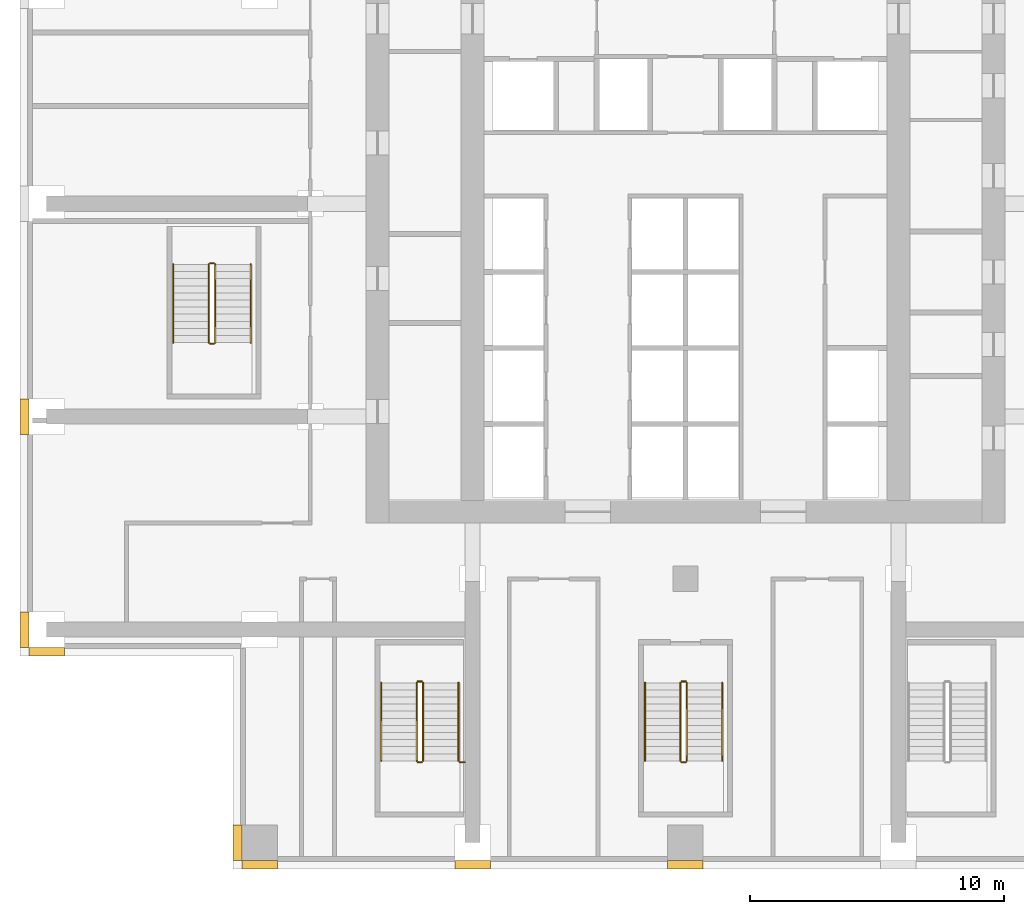
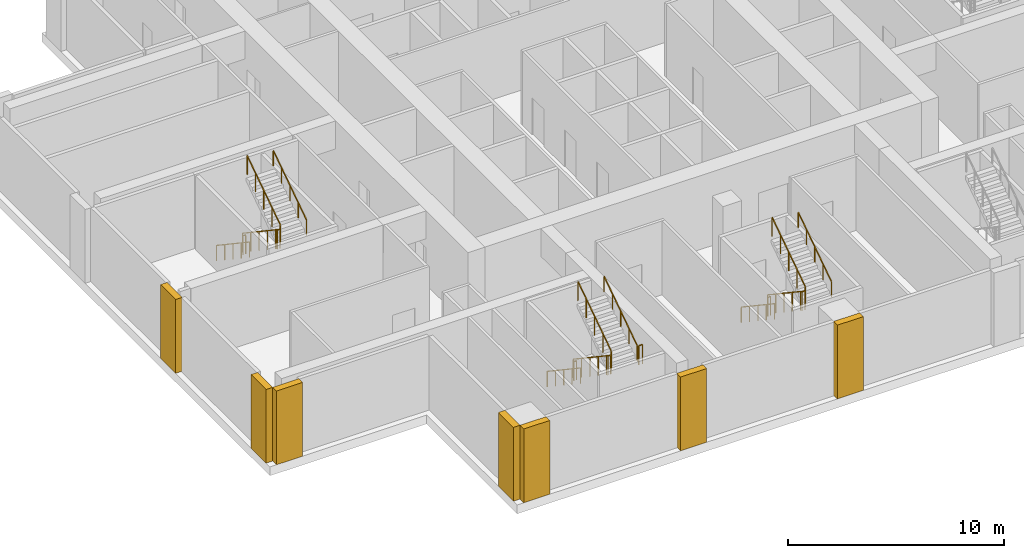
# One storey, part 7 of 11: 16 railings, 7 coverings.
"""IFC4 building model written with IfcOpenShell, lengths in metres."""

from ifc_helpers import new_model, si_unit, direction, frame, origin, origin_2d, place, context, subcontext, project, spatial, polyline, rectangle, outline, extrude, material, type_object, element, save


model = new_model("IFC4")

# Units and contexts
model_context = context("Model", 3, precision=1e-05, world=origin(), true_north=direction((0.0, 1.0)))
body_context = subcontext(model_context, "Body", "Model", "MODEL_VIEW")
ifc_project = project(units=[si_unit("LENGTHUNIT", "METRE"), si_unit("AREAUNIT", "SQUARE_METRE"), si_unit("VOLUMEUNIT", "CUBIC_METRE"), si_unit("PLANEANGLEUNIT", "RADIAN"), si_unit("MASSUNIT", "GRAM", prefix="KILO")], contexts=[model_context])

# Site, building, storey
site_placement = place(None, origin())
site = spatial("IfcSite", under=ifc_project, at=site_placement, CompositionType="ELEMENT")
building_placement = place(site_placement, origin())
building = spatial("IfcBuilding", under=site, at=building_placement, Name="Vermilion Ogive Tower", CompositionType="ELEMENT")
storey_placement = place(building_placement, frame((0.0, 0.0, 75.89990234375)))
storey = spatial("IfcBuildingStorey", under=building, at=storey_placement, Name="L18", CompositionType="ELEMENT", Elevation=75.89990234375)

# Railings
ifc_material_1 = material(Name="Steel S355 painted", Category="steel")
railing_type_1 = type_object("IfcRailingType", Name="Stair guard 1100", PredefinedType="GUARDRAIL", material=ifc_material_1)
railing_1_placement = place(storey_placement, frame((-10.60009765625, -14.699951171875, 0.1875)))
element("IfcRailing", 1, at=railing_1_placement, inside=storey, type_object=railing_type_1, Name="L18 ST3 stair guard 1", PredefinedType="GUARDRAIL", context=body_context, shape_type="SweptSolid", body=[
    extrude(rectangle(XDim=0.048095703125, YDim=0.048095703125, at=origin_2d()), frame((0.0, 0.0, 1.076171875), z_axis=(0.0, -0.830913701846, 0.55640131208), x_axis=(1.0, 0.0, 0.0)), (0.0, 0.0, 1.0), 3.706787109375),
    extrude(rectangle(XDim=0.048095703125, YDim=0.048095703125, at=origin_2d()), frame((0.0, -3.080078125, 3.138671875), z_axis=(0.707106781187, -0.707106781187, 0.0), x_axis=(0.707106781187, 0.707106781187, 0.0)), (0.0, 0.0, 1.0), 0.07080078125),
    extrude(rectangle(XDim=0.048095703125, YDim=0.048095703125, at=origin_2d()), frame((0.050048828125, -3.130126953125, 3.138671875), z_axis=(1.0, 0.0, 0.0), x_axis=(0.0, 1.0, 0.0)), (0.0, 0.0, 1.0), 0.150146484375),
    extrude(rectangle(XDim=0.0419921875, YDim=0.0419921875, at=origin_2d()), origin(), (0.0, 0.0, 1.0), 1.052001953125),
    extrude(rectangle(XDim=0.0419921875, YDim=0.0419921875, at=origin_2d()), frame((0.0, -0.77001953125, 0.515625)), (0.0, 0.0, 1.0), 1.052001953125),
    extrude(rectangle(XDim=0.0419921875, YDim=0.0419921875, at=origin_2d()), frame((0.0, -1.5400390625, 1.03125)), (0.0, 0.0, 1.0), 1.052001953125),
    extrude(rectangle(XDim=0.0419921875, YDim=0.0419921875, at=origin_2d()), frame((0.0, -2.31005859375, 1.546875)), (0.0, 0.0, 1.0), 1.052001953125),
    extrude(rectangle(XDim=0.0419921875, YDim=0.0419921875, at=origin_2d()), frame((0.0, -3.080078125, 2.0625)), (0.0, 0.0, 1.0), 1.052001953125),
    extrude(rectangle(XDim=0.0419921875, YDim=0.0419921875, at=origin_2d()), frame((0.050048828125, -3.130126953125, 2.0625)), (0.0, 0.0, 1.0), 1.052001953125),
    extrude(rectangle(XDim=0.0419921875, YDim=0.0419921875, at=origin_2d()), frame((0.2001953125, -3.130126953125, 2.0625)), (0.0, 0.0, 1.0), 1.052001953125),
])
railing_2_placement = place(storey_placement, frame((-10.35009765625, -17.780029296875, 2.4375)))
element("IfcRailing", 2, at=railing_2_placement, inside=storey, type_object=railing_type_1, Name="L18 ST3 stair guard 3", PredefinedType="GUARDRAIL", context=body_context, shape_type="SweptSolid", body=[
    extrude(rectangle(XDim=0.048095703125, YDim=0.048095703125, at=origin_2d()), frame((0.0, 0.0, 1.076171875), z_axis=(0.0, 0.830913701846, 0.55640131208), x_axis=(-1.0, 0.0, 0.0)), (0.0, 0.0, 1.0), 3.706787109375),
    extrude(rectangle(XDim=0.0419921875, YDim=0.0419921875, at=origin_2d()), origin(), (0.0, 0.0, 1.0), 1.052001953125),
    extrude(rectangle(XDim=0.0419921875, YDim=0.0419921875, at=origin_2d()), frame((0.0, 0.77001953125, 0.515625)), (0.0, 0.0, 1.0), 1.052001953125),
    extrude(rectangle(XDim=0.0419921875, YDim=0.0419921875, at=origin_2d()), frame((0.0, 1.5400390625, 1.03125)), (0.0, 0.0, 1.0), 1.052001953125),
    extrude(rectangle(XDim=0.0419921875, YDim=0.0419921875, at=origin_2d()), frame((0.0, 2.31005859375, 1.546875)), (0.0, 0.0, 1.0), 1.052001953125),
    extrude(rectangle(XDim=0.0419921875, YDim=0.0419921875, at=origin_2d()), frame((0.0, 3.080078125, 2.0625)), (0.0, 0.0, 1.0), 1.052001953125),
])
railing_3_placement = place(storey_placement, frame((-10.550048828125, -14.64990234375, 0.0)))
element("IfcRailing", 3, at=railing_3_placement, inside=storey, type_object=railing_type_1, Name="L18 ST3 stair guard 4", PredefinedType="GUARDRAIL", context=body_context, shape_type="SweptSolid", body=[
    extrude(rectangle(XDim=0.048095703125, YDim=0.048095703125, at=origin_2d()), frame((0.0, 0.0, 1.076171875), z_axis=(1.0, 0.0, 0.0), x_axis=(0.0, 1.0, 0.0)), (0.0, 0.0, 1.0), 0.150146484375),
    extrude(rectangle(XDim=0.0419921875, YDim=0.0419921875, at=origin_2d()), origin(), (0.0, 0.0, 1.0), 1.052001953125),
    extrude(rectangle(XDim=0.0419921875, YDim=0.0419921875, at=origin_2d()), frame((0.150146484375, 0.0, 0.0)), (0.0, 0.0, 1.0), 1.052001953125),
])
railing_4_placement = place(storey_placement, frame((-0.199951171875, -14.699951171875, 0.1875)))
element("IfcRailing", 4, at=railing_4_placement, inside=storey, type_object=railing_type_1, Name="L18 ST4 stair guard 1", PredefinedType="GUARDRAIL", context=body_context, shape_type="SweptSolid", body=[
    extrude(rectangle(XDim=0.048095703125, YDim=0.048095703125, at=origin_2d()), frame((0.0, 0.0, 1.076171875), z_axis=(0.0, -0.830913701846, 0.55640131208), x_axis=(1.0, 0.0, 0.0)), (0.0, 0.0, 1.0), 3.706787109375),
    extrude(rectangle(XDim=0.048095703125, YDim=0.048095703125, at=origin_2d()), frame((0.0, -3.080078125, 3.138671875), z_axis=(0.707106781187, -0.707106781187, 0.0), x_axis=(0.707106781187, 0.707106781187, 0.0)), (0.0, 0.0, 1.0), 0.07080078125),
    extrude(rectangle(XDim=0.048095703125, YDim=0.048095703125, at=origin_2d()), frame((0.050048828125, -3.130126953125, 3.138671875), z_axis=(1.0, 0.0, 0.0), x_axis=(0.0, 1.0, 0.0)), (0.0, 0.0, 1.0), 0.14990234375),
    extrude(rectangle(XDim=0.0419921875, YDim=0.0419921875, at=origin_2d()), origin(), (0.0, 0.0, 1.0), 1.052001953125),
    extrude(rectangle(XDim=0.0419921875, YDim=0.0419921875, at=origin_2d()), frame((0.0, -0.77001953125, 0.515625)), (0.0, 0.0, 1.0), 1.052001953125),
    extrude(rectangle(XDim=0.0419921875, YDim=0.0419921875, at=origin_2d()), frame((0.0, -1.5400390625, 1.03125)), (0.0, 0.0, 1.0), 1.052001953125),
    extrude(rectangle(XDim=0.0419921875, YDim=0.0419921875, at=origin_2d()), frame((0.0, -2.31005859375, 1.546875)), (0.0, 0.0, 1.0), 1.052001953125),
    extrude(rectangle(XDim=0.0419921875, YDim=0.0419921875, at=origin_2d()), frame((0.0, -3.080078125, 2.0625)), (0.0, 0.0, 1.0), 1.052001953125),
    extrude(rectangle(XDim=0.0419921875, YDim=0.0419921875, at=origin_2d()), frame((0.050048828125, -3.130126953125, 2.0625)), (0.0, 0.0, 1.0), 1.052001953125),
    extrude(rectangle(XDim=0.0419921875, YDim=0.0419921875, at=origin_2d()), frame((0.199951171875, -3.130126953125, 2.0625)), (0.0, 0.0, 1.0), 1.052001953125),
])
railing_5_placement = place(storey_placement, frame((0.050048828125, -17.780029296875, 2.4375)))
element("IfcRailing", 5, at=railing_5_placement, inside=storey, type_object=railing_type_1, Name="L18 ST4 stair guard 3", PredefinedType="GUARDRAIL", context=body_context, shape_type="SweptSolid", body=[
    extrude(rectangle(XDim=0.048095703125, YDim=0.048095703125, at=origin_2d()), frame((0.0, 0.0, 1.076171875), z_axis=(0.0, 0.830913701846, 0.55640131208), x_axis=(-1.0, 0.0, 0.0)), (0.0, 0.0, 1.0), 3.706787109375),
    extrude(rectangle(XDim=0.0419921875, YDim=0.0419921875, at=origin_2d()), origin(), (0.0, 0.0, 1.0), 1.052001953125),
    extrude(rectangle(XDim=0.0419921875, YDim=0.0419921875, at=origin_2d()), frame((0.0, 0.77001953125, 0.515625)), (0.0, 0.0, 1.0), 1.052001953125),
    extrude(rectangle(XDim=0.0419921875, YDim=0.0419921875, at=origin_2d()), frame((0.0, 1.5400390625, 1.03125)), (0.0, 0.0, 1.0), 1.052001953125),
    extrude(rectangle(XDim=0.0419921875, YDim=0.0419921875, at=origin_2d()), frame((0.0, 2.31005859375, 1.546875)), (0.0, 0.0, 1.0), 1.052001953125),
    extrude(rectangle(XDim=0.0419921875, YDim=0.0419921875, at=origin_2d()), frame((0.0, 3.080078125, 2.0625)), (0.0, 0.0, 1.0), 1.052001953125),
])
railing_6_placement = place(storey_placement, frame((-0.14990234375, -14.64990234375, 0.0)))
element("IfcRailing", 6, at=railing_6_placement, inside=storey, type_object=railing_type_1, Name="L18 ST4 stair guard 4", PredefinedType="GUARDRAIL", context=body_context, shape_type="SweptSolid", body=[
    extrude(rectangle(XDim=0.048095703125, YDim=0.048095703125, at=origin_2d()), frame((0.0, 0.0, 1.076171875), z_axis=(1.0, 0.0, 0.0), x_axis=(0.0, 1.0, 0.0)), (0.0, 0.0, 1.0), 0.14990234375),
    extrude(rectangle(XDim=0.0419921875, YDim=0.0419921875, at=origin_2d()), origin(), (0.0, 0.0, 1.0), 1.052001953125),
    extrude(rectangle(XDim=0.0419921875, YDim=0.0419921875, at=origin_2d()), frame((0.14990234375, 0.0, 0.0)), (0.0, 0.0, 1.0), 1.052001953125),
])
railing_7_placement = place(storey_placement, frame((-18.800048828125, 1.800048828125, 0.1875)))
element("IfcRailing", 7, at=railing_7_placement, inside=storey, type_object=railing_type_1, Name="L18 ST9 stair guard 1", PredefinedType="GUARDRAIL", context=body_context, shape_type="SweptSolid", body=[
    extrude(rectangle(XDim=0.048095703125, YDim=0.048095703125, at=origin_2d()), frame((0.0, 0.0, 1.076171875), z_axis=(0.0, -0.830913701846, 0.55640131208), x_axis=(1.0, 0.0, 0.0)), (0.0, 0.0, 1.0), 3.706787109375),
    extrude(rectangle(XDim=0.048095703125, YDim=0.048095703125, at=origin_2d()), frame((0.0, -3.080078125, 3.138671875), z_axis=(0.707106781187, -0.707106781187, 0.0), x_axis=(0.707106781187, 0.707106781187, 0.0)), (0.0, 0.0, 1.0), 0.07080078125),
    extrude(rectangle(XDim=0.048095703125, YDim=0.048095703125, at=origin_2d()), frame((0.050048828125, -3.130126953125, 3.138671875), z_axis=(1.0, 0.0, 0.0), x_axis=(0.0, 1.0, 0.0)), (0.0, 0.0, 1.0), 0.14990234375),
    extrude(rectangle(XDim=0.0419921875, YDim=0.0419921875, at=origin_2d()), origin(), (0.0, 0.0, 1.0), 1.052001953125),
    extrude(rectangle(XDim=0.0419921875, YDim=0.0419921875, at=origin_2d()), frame((0.0, -0.77001953125, 0.515625)), (0.0, 0.0, 1.0), 1.052001953125),
    extrude(rectangle(XDim=0.0419921875, YDim=0.0419921875, at=origin_2d()), frame((0.0, -1.5400390625, 1.03125)), (0.0, 0.0, 1.0), 1.052001953125),
    extrude(rectangle(XDim=0.0419921875, YDim=0.0419921875, at=origin_2d()), frame((0.0, -2.31005859375, 1.546875)), (0.0, 0.0, 1.0), 1.052001953125),
    extrude(rectangle(XDim=0.0419921875, YDim=0.0419921875, at=origin_2d()), frame((0.0, -3.080078125, 2.0625)), (0.0, 0.0, 1.0), 1.052001953125),
    extrude(rectangle(XDim=0.0419921875, YDim=0.0419921875, at=origin_2d()), frame((0.050048828125, -3.130126953125, 2.0625)), (0.0, 0.0, 1.0), 1.052001953125),
    extrude(rectangle(XDim=0.0419921875, YDim=0.0419921875, at=origin_2d()), frame((0.199951171875, -3.130126953125, 2.0625)), (0.0, 0.0, 1.0), 1.052001953125),
])
railing_8_placement = place(storey_placement, frame((-18.550048828125, -1.280029296875, 2.4375)))
element("IfcRailing", 8, at=railing_8_placement, inside=storey, type_object=railing_type_1, Name="L18 ST9 stair guard 3", PredefinedType="GUARDRAIL", context=body_context, shape_type="SweptSolid", body=[
    extrude(rectangle(XDim=0.048095703125, YDim=0.048095703125, at=origin_2d()), frame((0.0, 0.0, 1.076171875), z_axis=(0.0, 0.830913701846, 0.55640131208), x_axis=(-1.0, 0.0, 0.0)), (0.0, 0.0, 1.0), 3.706787109375),
    extrude(rectangle(XDim=0.0419921875, YDim=0.0419921875, at=origin_2d()), origin(), (0.0, 0.0, 1.0), 1.052001953125),
    extrude(rectangle(XDim=0.0419921875, YDim=0.0419921875, at=origin_2d()), frame((0.0, 0.77001953125, 0.515625)), (0.0, 0.0, 1.0), 1.052001953125),
    extrude(rectangle(XDim=0.0419921875, YDim=0.0419921875, at=origin_2d()), frame((0.0, 1.5400390625, 1.03125)), (0.0, 0.0, 1.0), 1.052001953125),
    extrude(rectangle(XDim=0.0419921875, YDim=0.0419921875, at=origin_2d()), frame((0.0, 2.31005859375, 1.546875)), (0.0, 0.0, 1.0), 1.052001953125),
    extrude(rectangle(XDim=0.0419921875, YDim=0.0419921875, at=origin_2d()), frame((0.0, 3.080078125, 2.0625)), (0.0, 0.0, 1.0), 1.052001953125),
])
railing_9_placement = place(storey_placement, frame((-18.75, 1.85009765625, 0.0)))
element("IfcRailing", 9, at=railing_9_placement, inside=storey, type_object=railing_type_1, Name="L18 ST9 stair guard 4", PredefinedType="GUARDRAIL", context=body_context, shape_type="SweptSolid", body=[
    extrude(rectangle(XDim=0.048095703125, YDim=0.048095703125, at=origin_2d()), frame((0.0, 0.0, 1.076171875), z_axis=(1.0, 0.0, 0.0), x_axis=(0.0, 1.0, 0.0)), (0.0, 0.0, 1.0), 0.14990234375),
    extrude(rectangle(XDim=0.0419921875, YDim=0.0419921875, at=origin_2d()), origin(), (0.0, 0.0, 1.0), 1.052001953125),
    extrude(rectangle(XDim=0.0419921875, YDim=0.0419921875, at=origin_2d()), frame((0.14990234375, 0.0, 0.0)), (0.0, 0.0, 1.0), 1.052001953125),
])
railing_10_placement = place(storey_placement, frame((-8.89990234375, -17.830078125, 2.25)))
element("IfcRailing", 10, at=railing_10_placement, inside=storey, type_object=railing_type_1, Name="L18 landing guard", PredefinedType="GUARDRAIL", context=body_context, shape_type="SweptSolid", body=[
    extrude(rectangle(XDim=0.048095703125, YDim=0.048095703125, at=origin_2d()), frame((0.0, 0.0, 1.076171875), z_axis=(1.0, 0.0, 0.0), x_axis=(0.0, 1.0, 0.0)), (0.0, 0.0, 1.0), 0.199951171875),
    extrude(rectangle(XDim=0.0419921875, YDim=0.0419921875, at=origin_2d()), origin(), (0.0, 0.0, 1.0), 1.052001953125),
    extrude(rectangle(XDim=0.0419921875, YDim=0.0419921875, at=origin_2d()), frame((0.199951171875, 0.0, 0.0)), (0.0, 0.0, 1.0), 1.052001953125),
])
ifc_material_2 = material(Name="Stainless steel", Category="steel")
railing_type_2 = type_object("IfcRailingType", Name="Stair handrail 900", PredefinedType="HANDRAIL", material=ifc_material_2)
railing_11_placement = place(storey_placement, frame((-12.0, -14.699951171875, 0.1875)))
element("IfcRailing", 11, at=railing_11_placement, inside=storey, type_object=railing_type_2, Name="L18 ST3 stair handrail 1", PredefinedType="HANDRAIL", context=body_context, shape_type="SweptSolid", body=[
    extrude(rectangle(XDim=0.048095703125, YDim=0.048095703125, at=origin_2d()), frame((0.0, 0.0, 0.8759765625), z_axis=(0.0, -0.830913701846, 0.55640131208), x_axis=(1.0, 0.0, 0.0)), (0.0, 0.0, 1.0), 3.706787109375),
    extrude(rectangle(XDim=0.0419921875, YDim=0.0419921875, at=origin_2d()), origin(), (0.0, 0.0, 1.0), 0.851806640625),
    extrude(rectangle(XDim=0.0419921875, YDim=0.0419921875, at=origin_2d()), frame((0.0, -0.77001953125, 0.515625)), (0.0, 0.0, 1.0), 0.851806640625),
    extrude(rectangle(XDim=0.0419921875, YDim=0.0419921875, at=origin_2d()), frame((0.0, -1.5400390625, 1.03125)), (0.0, 0.0, 1.0), 0.851806640625),
    extrude(rectangle(XDim=0.0419921875, YDim=0.0419921875, at=origin_2d()), frame((0.0, -2.31005859375, 1.546875)), (0.0, 0.0, 1.0), 0.851806640625),
    extrude(rectangle(XDim=0.0419921875, YDim=0.0419921875, at=origin_2d()), frame((0.0, -3.080078125, 2.0625)), (0.0, 0.0, 1.0), 0.851806640625),
])
railing_12_placement = place(storey_placement, frame((-8.949951171875, -17.780029296875, 2.4375)))
element("IfcRailing", 12, at=railing_12_placement, inside=storey, type_object=railing_type_2, Name="L18 ST3 stair handrail 2", PredefinedType="HANDRAIL", context=body_context, shape_type="SweptSolid", body=[
    extrude(rectangle(XDim=0.048095703125, YDim=0.048095703125, at=origin_2d()), frame((0.0, 0.0, 0.8759765625), z_axis=(0.0, 0.830913701846, 0.55640131208), x_axis=(-1.0, 0.0, 0.0)), (0.0, 0.0, 1.0), 3.706787109375),
    extrude(rectangle(XDim=0.0419921875, YDim=0.0419921875, at=origin_2d()), origin(), (0.0, 0.0, 1.0), 0.851806640625),
    extrude(rectangle(XDim=0.0419921875, YDim=0.0419921875, at=origin_2d()), frame((0.0, 0.77001953125, 0.515625)), (0.0, 0.0, 1.0), 0.851806640625),
    extrude(rectangle(XDim=0.0419921875, YDim=0.0419921875, at=origin_2d()), frame((0.0, 1.5400390625, 1.03125)), (0.0, 0.0, 1.0), 0.851806640625),
    extrude(rectangle(XDim=0.0419921875, YDim=0.0419921875, at=origin_2d()), frame((0.0, 2.31005859375, 1.546875)), (0.0, 0.0, 1.0), 0.851806640625),
    extrude(rectangle(XDim=0.0419921875, YDim=0.0419921875, at=origin_2d()), frame((0.0, 3.080078125, 2.0625)), (0.0, 0.0, 1.0), 0.851806640625),
])
railing_13_placement = place(storey_placement, frame((-1.60009765625, -14.699951171875, 0.1875)))
element("IfcRailing", 13, at=railing_13_placement, inside=storey, type_object=railing_type_2, Name="L18 ST4 stair handrail 1", PredefinedType="HANDRAIL", context=body_context, shape_type="SweptSolid", body=[
    extrude(rectangle(XDim=0.048095703125, YDim=0.048095703125, at=origin_2d()), frame((0.0, 0.0, 0.8759765625), z_axis=(0.0, -0.830913701846, 0.55640131208), x_axis=(1.0, 0.0, 0.0)), (0.0, 0.0, 1.0), 3.706787109375),
    extrude(rectangle(XDim=0.0419921875, YDim=0.0419921875, at=origin_2d()), origin(), (0.0, 0.0, 1.0), 0.851806640625),
    extrude(rectangle(XDim=0.0419921875, YDim=0.0419921875, at=origin_2d()), frame((0.0, -0.77001953125, 0.515625)), (0.0, 0.0, 1.0), 0.851806640625),
    extrude(rectangle(XDim=0.0419921875, YDim=0.0419921875, at=origin_2d()), frame((0.0, -1.5400390625, 1.03125)), (0.0, 0.0, 1.0), 0.851806640625),
    extrude(rectangle(XDim=0.0419921875, YDim=0.0419921875, at=origin_2d()), frame((0.0, -2.31005859375, 1.546875)), (0.0, 0.0, 1.0), 0.851806640625),
    extrude(rectangle(XDim=0.0419921875, YDim=0.0419921875, at=origin_2d()), frame((0.0, -3.080078125, 2.0625)), (0.0, 0.0, 1.0), 0.851806640625),
])
railing_14_placement = place(storey_placement, frame((1.449951171875, -17.780029296875, 2.4375)))
element("IfcRailing", 14, at=railing_14_placement, inside=storey, type_object=railing_type_2, Name="L18 ST4 stair handrail 2", PredefinedType="HANDRAIL", context=body_context, shape_type="SweptSolid", body=[
    extrude(rectangle(XDim=0.048095703125, YDim=0.048095703125, at=origin_2d()), frame((0.0, 0.0, 0.8759765625), z_axis=(0.0, 0.830913701846, 0.55640131208), x_axis=(-1.0, 0.0, 0.0)), (0.0, 0.0, 1.0), 3.706787109375),
    extrude(rectangle(XDim=0.0419921875, YDim=0.0419921875, at=origin_2d()), origin(), (0.0, 0.0, 1.0), 0.851806640625),
    extrude(rectangle(XDim=0.0419921875, YDim=0.0419921875, at=origin_2d()), frame((0.0, 0.77001953125, 0.515625)), (0.0, 0.0, 1.0), 0.851806640625),
    extrude(rectangle(XDim=0.0419921875, YDim=0.0419921875, at=origin_2d()), frame((0.0, 1.5400390625, 1.03125)), (0.0, 0.0, 1.0), 0.851806640625),
    extrude(rectangle(XDim=0.0419921875, YDim=0.0419921875, at=origin_2d()), frame((0.0, 2.31005859375, 1.546875)), (0.0, 0.0, 1.0), 0.851806640625),
    extrude(rectangle(XDim=0.0419921875, YDim=0.0419921875, at=origin_2d()), frame((0.0, 3.080078125, 2.0625)), (0.0, 0.0, 1.0), 0.851806640625),
])
railing_15_placement = place(storey_placement, frame((-20.199951171875, 1.800048828125, 0.1875)))
element("IfcRailing", 15, at=railing_15_placement, inside=storey, type_object=railing_type_2, Name="L18 ST9 stair handrail 1", PredefinedType="HANDRAIL", context=body_context, shape_type="SweptSolid", body=[
    extrude(rectangle(XDim=0.048095703125, YDim=0.048095703125, at=origin_2d()), frame((0.0, 0.0, 0.8759765625), z_axis=(0.0, -0.830913701846, 0.55640131208), x_axis=(1.0, 0.0, 0.0)), (0.0, 0.0, 1.0), 3.706787109375),
    extrude(rectangle(XDim=0.0419921875, YDim=0.0419921875, at=origin_2d()), origin(), (0.0, 0.0, 1.0), 0.851806640625),
    extrude(rectangle(XDim=0.0419921875, YDim=0.0419921875, at=origin_2d()), frame((0.0, -0.77001953125, 0.515625)), (0.0, 0.0, 1.0), 0.851806640625),
    extrude(rectangle(XDim=0.0419921875, YDim=0.0419921875, at=origin_2d()), frame((0.0, -1.5400390625, 1.03125)), (0.0, 0.0, 1.0), 0.851806640625),
    extrude(rectangle(XDim=0.0419921875, YDim=0.0419921875, at=origin_2d()), frame((0.0, -2.31005859375, 1.546875)), (0.0, 0.0, 1.0), 0.851806640625),
    extrude(rectangle(XDim=0.0419921875, YDim=0.0419921875, at=origin_2d()), frame((0.0, -3.080078125, 2.0625)), (0.0, 0.0, 1.0), 0.851806640625),
])
railing_16_placement = place(storey_placement, frame((-17.14990234375, -1.280029296875, 2.4375)))
element("IfcRailing", 16, at=railing_16_placement, inside=storey, type_object=railing_type_2, Name="L18 ST9 stair handrail 2", PredefinedType="HANDRAIL", context=body_context, shape_type="SweptSolid", body=[
    extrude(rectangle(XDim=0.048095703125, YDim=0.048095703125, at=origin_2d()), frame((0.0, 0.0, 0.8759765625), z_axis=(0.0, 0.830913701846, 0.55640131208), x_axis=(-1.0, 0.0, 0.0)), (0.0, 0.0, 1.0), 3.706787109375),
    extrude(rectangle(XDim=0.0419921875, YDim=0.0419921875, at=origin_2d()), origin(), (0.0, 0.0, 1.0), 0.851806640625),
    extrude(rectangle(XDim=0.0419921875, YDim=0.0419921875, at=origin_2d()), frame((0.0, 0.77001953125, 0.515625)), (0.0, 0.0, 1.0), 0.851806640625),
    extrude(rectangle(XDim=0.0419921875, YDim=0.0419921875, at=origin_2d()), frame((0.0, 1.5400390625, 1.03125)), (0.0, 0.0, 1.0), 0.851806640625),
    extrude(rectangle(XDim=0.0419921875, YDim=0.0419921875, at=origin_2d()), frame((0.0, 2.31005859375, 1.546875)), (0.0, 0.0, 1.0), 0.851806640625),
    extrude(rectangle(XDim=0.0419921875, YDim=0.0419921875, at=origin_2d()), frame((0.0, 3.080078125, 2.0625)), (0.0, 0.0, 1.0), 0.851806640625),
])

# Coverings
ifc_material_3 = material(Name="Stone cladding", Category="masonry")
covering_type = type_object("IfcCoveringType", Name="Stone pier", PredefinedType="CLADDING", material=ifc_material_3)
covering_1_placement = place(storey_placement, origin())
element("IfcCovering", 17, at=covering_1_placement, inside=storey, type_object=covering_type, Name="Stone pier P+0000-210", PredefinedType="CLADDING", context=body_context, shape_type="SweptSolid", body=[
    extrude(outline(polyline([(0.699951171875, -22.050048828125), (-0.699951171875, -22.050048828125), (-0.699951171875, -21.699951171875), (0.699951171875, -21.699951171875), (0.699951171875, -22.050048828125)])), origin(), (0.0, 0.0, 1.0), 4.18017578125),
])
covering_2_placement = place(storey_placement, origin())
element("IfcCovering", 18, at=covering_2_placement, inside=storey, type_object=covering_type, Name="Stone pier P-0084-210", PredefinedType="CLADDING", context=body_context, shape_type="SweptSolid", body=[
    extrude(outline(polyline([(-7.699951171875, -22.050048828125), (-9.10009765625, -22.050048828125), (-9.10009765625, -21.699951171875), (-7.699951171875, -21.699951171875), (-7.699951171875, -22.050048828125)])), origin(), (0.0, 0.0, 1.0), 4.18017578125),
])
covering_3_placement = place(storey_placement, origin())
element("IfcCovering", 19, at=covering_3_placement, inside=storey, type_object=covering_type, Name="Stone pier P-0168-210S", PredefinedType="CLADDING", context=body_context, shape_type="SweptSolid", body=[
    extrude(outline(polyline([(-16.10009765625, -22.050048828125), (-17.5, -22.050048828125), (-17.5, -21.699951171875), (-16.10009765625, -21.699951171875), (-16.10009765625, -22.050048828125)])), origin(), (0.0, 0.0, 1.0), 4.18017578125),
])
covering_4_placement = place(storey_placement, origin())
element("IfcCovering", 20, at=covering_4_placement, inside=storey, type_object=covering_type, Name="Stone pier P-0168-210X8", PredefinedType="CLADDING", context=body_context, shape_type="SweptSolid", body=[
    extrude(outline(polyline([(-17.85009765625, -20.300048828125), (-17.5, -20.300048828125), (-17.5, -21.699951171875), (-17.85009765625, -21.699951171875), (-17.85009765625, -20.300048828125)])), origin(), (0.0, 0.0, 1.0), 4.18017578125),
])
covering_5_placement = place(storey_placement, origin())
element("IfcCovering", 21, at=covering_5_placement, inside=storey, type_object=covering_type, Name="Stone pier P-0252-042", PredefinedType="CLADDING", context=body_context, shape_type="SweptSolid", body=[
    extrude(outline(polyline([(-26.25, -4.89990234375), (-26.25, -3.5), (-25.89990234375, -3.5), (-25.89990234375, -4.89990234375), (-26.25, -4.89990234375)])), origin(), (0.0, 0.0, 1.0), 4.18017578125),
])
covering_6_placement = place(storey_placement, origin())
element("IfcCovering", 22, at=covering_6_placement, inside=storey, type_object=covering_type, Name="Stone pier P-0252-126W", PredefinedType="CLADDING", context=body_context, shape_type="SweptSolid", body=[
    extrude(outline(polyline([(-26.25, -13.300048828125), (-26.25, -11.89990234375), (-25.89990234375, -11.89990234375), (-25.89990234375, -13.300048828125), (-26.25, -13.300048828125)])), origin(), (0.0, 0.0, 1.0), 4.18017578125),
])
covering_7_placement = place(storey_placement, origin())
element("IfcCovering", 23, at=covering_7_placement, inside=storey, type_object=covering_type, Name="Stone pier P-0252-126X7", PredefinedType="CLADDING", context=body_context, shape_type="SweptSolid", body=[
    extrude(outline(polyline([(-25.89990234375, -13.64990234375), (-25.89990234375, -13.300048828125), (-24.5, -13.300048828125), (-24.5, -13.64990234375), (-25.89990234375, -13.64990234375)])), origin(), (0.0, 0.0, 1.0), 4.18017578125),
])

save(model, "model.ifc")
